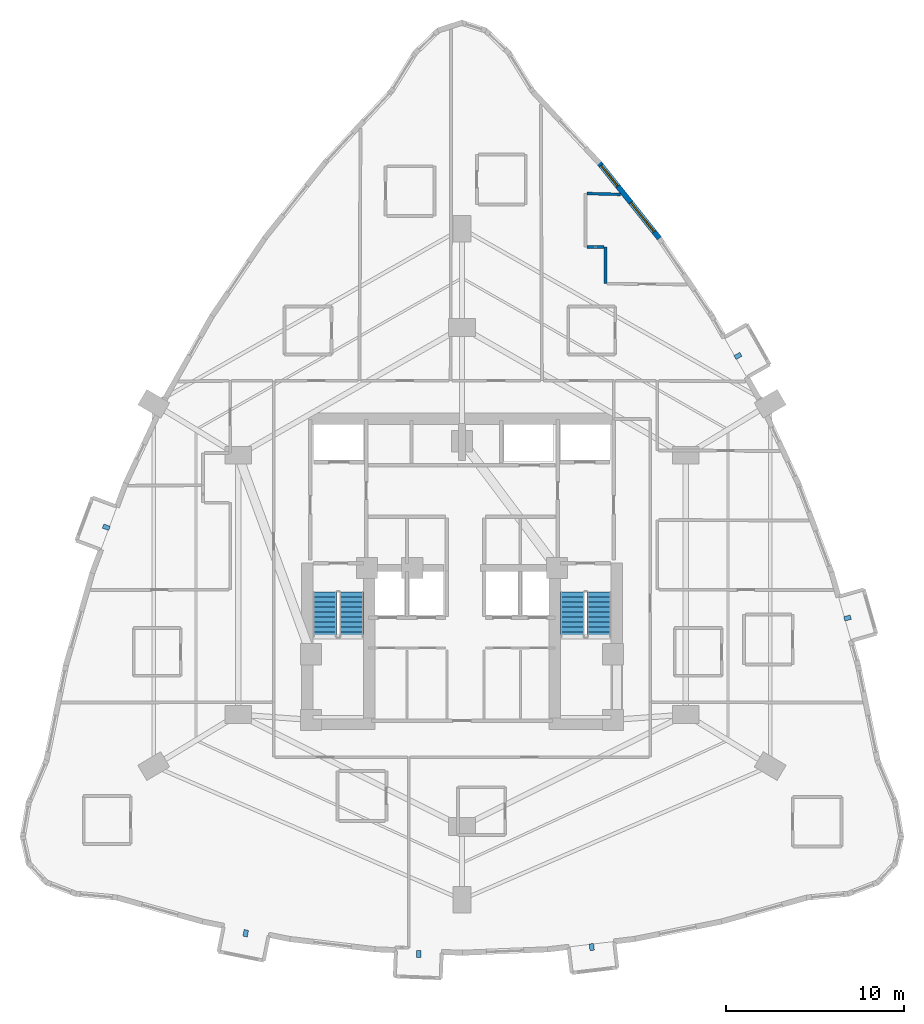
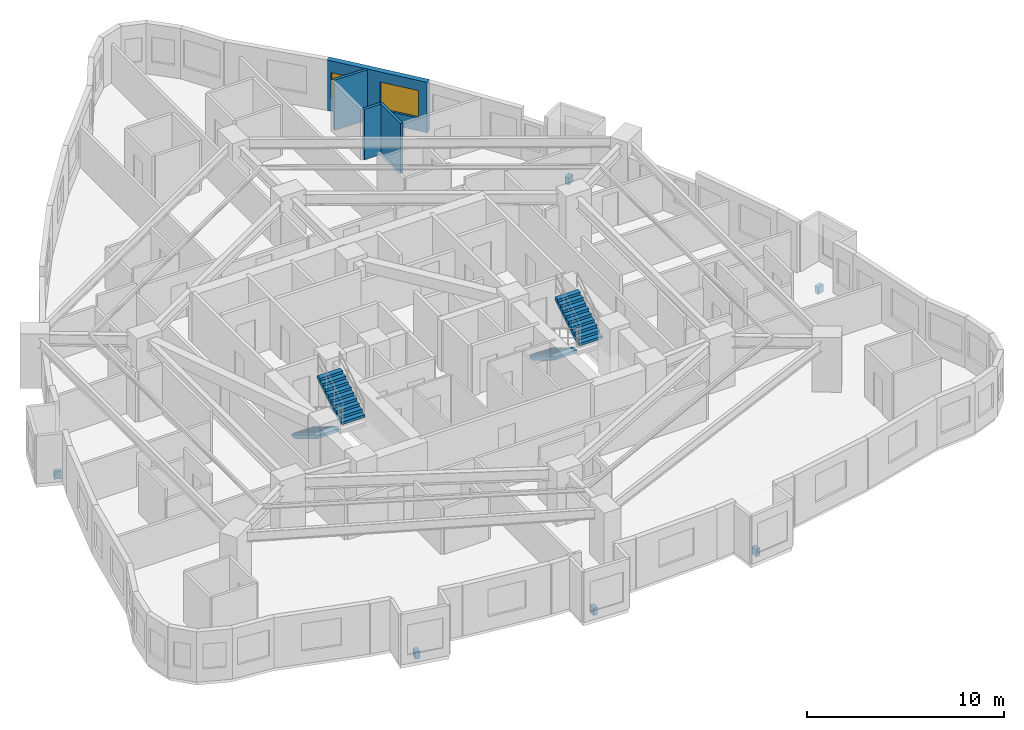
# One storey, part 12 of 13: 6 discrete accessories, 4 stair flights, 4 walls, 2 windows, 2 openings, 2 elements without a shape of their own.
"""IFC4 building model written with IfcOpenShell, lengths in metres."""

from ifc_helpers import new_model, si_unit, direction, frame, frame_2d, origin, origin_2d, place, context, subcontext, project, spatial, polyline, rectangle, outline, extrude, material, layer, layer_set, type_object, element, fill, aggregate, save


model = new_model("IFC4")

# Units and contexts
model_context = context("Model", 3, precision=1e-05, world=origin(), true_north=direction((0.0, 1.0)))
body_context = subcontext(model_context, "Body", "Model", "MODEL_VIEW")
ifc_project = project(units=[si_unit("LENGTHUNIT", "METRE"), si_unit("AREAUNIT", "SQUARE_METRE"), si_unit("VOLUMEUNIT", "CUBIC_METRE"), si_unit("PLANEANGLEUNIT", "RADIAN"), si_unit("MASSUNIT", "GRAM", prefix="KILO")], contexts=[model_context])

# Site, building, storey
site_placement = place(None, origin())
site = spatial("IfcSite", under=ifc_project, at=site_placement, CompositionType="ELEMENT")
building_placement = place(site_placement, origin())
building = spatial("IfcBuilding", under=site, at=building_placement, Name="Miruveldt Soraemaru", CompositionType="ELEMENT")
storey_placement = place(building_placement, frame((0.0, 0.0, 49.60009765625)))
storey = spatial("IfcBuildingStorey", under=building, at=storey_placement, Name="L13", CompositionType="ELEMENT", Elevation=49.60009765625)

# Wall, openings, windows
ifc_material_1 = material(Name="Precast concrete C45/55 (45 MPa)", Category="concrete")
ifc_layer_1 = layer(ifc_material_1, 0.300048828125, Name="Precast concrete C45/55 (45 MPa)", Category="concrete")
ifc_layer_set_1 = layer_set([ifc_layer_1], Name="Precast concrete C45/55 (45 MPa)")
wall_type_1 = type_object("IfcWallType", Name="WALL-EXT-PC300", PredefinedType="SOLIDWALL", material=ifc_layer_set_1)
wall_1_placement = place(storey_placement, frame((55.1162109375, 62.617919921875, 0.0), z_axis=(0.0, 0.0, 1.0), x_axis=(-0.623574647448, 0.781763812836, 0.0)))
wall_1 = element("IfcWall", 1, at=wall_1_placement, inside=storey, type_object=wall_type_1, Name="L13 Precast Concrete Facade Wall 41", PredefinedType="SOLIDWALL", context=body_context, shape_type="SweptSolid", body=[
    extrude(rectangle(XDim=5.477294921875, YDim=0.300048828125, at=frame_2d((2.73876953125, 0.0))), origin(), (0.0, 0.0, 1.0), 3.125),
])
opening_1_placement = place(wall_1_placement, frame((0.47802734375, 0.0, 0.800048828125)))
opening_1 = element("IfcOpeningElement", 2, at=opening_1_placement, cuts=wall_1, Name="Opening WN-1", PredefinedType="OPENING", context=body_context, shape_type="SweptSolid", body=[
    extrude(rectangle(XDim=2.10009765625, YDim=1.699951171875, at=frame_2d((1.050048828125, 0.85009765625))), frame((0.0, 0.16015625, 0.0), z_axis=(0.0, -1.0, 0.0), x_axis=(1.0, 0.0, 0.0)), (0.0, 0.0, 1.0), 0.320068359375),
])
opening_2_placement = place(wall_1_placement, frame((3.756103515625, 0.0, 0.800048828125)))
opening_2 = element("IfcOpeningElement", 3, at=opening_2_placement, cuts=wall_1, Name="Opening WN-3", PredefinedType="OPENING", context=body_context, shape_type="SweptSolid", body=[
    extrude(rectangle(XDim=1.5, YDim=1.60009765625, at=frame_2d((0.75, 0.800048828125))), frame((0.0, 0.16015625, 0.0), z_axis=(0.0, -1.0, 0.0), x_axis=(1.0, 0.0, 0.0)), (0.0, 0.0, 1.0), 0.320068359375),
])
ifc_material_2 = material(Name="Triple low-e insulated glazing", Category="glass")
window_type_1 = type_object("IfcWindowType", Name="WIN-PUNCH-1500x1600", PartitioningType="SINGLE_PANEL", PredefinedType="WINDOW", material=ifc_material_2)
window_1_placement = place(opening_2_placement, origin())
window_1 = element("IfcWindow", 4, at=window_1_placement, inside=storey, type_object=window_type_1, Name="L13 Punched Triple-Glazed Window 41.2", OverallHeight=1.60009765625, OverallWidth=1.5, PartitioningType="SINGLE_PANEL", PredefinedType="WINDOW", context=body_context, shape_type="SweptSolid", body=[
    extrude(rectangle(XDim=1.5, YDim=1.60009765625, at=frame_2d((0.75, 0.800048828125))), frame((0.0, 0.030029296875, 0.0), z_axis=(0.0, -1.0, 0.0), x_axis=(1.0, 0.0, 0.0)), (0.0, 0.0, 1.0), 0.06005859375),
])
fill(opening_2, window_1)
window_type_2 = type_object("IfcWindowType", Name="WIN-PUNCH-2100x1700", PartitioningType="SINGLE_PANEL", PredefinedType="WINDOW", material=ifc_material_2)
window_2_placement = place(opening_1_placement, origin())
window_2 = element("IfcWindow", 5, at=window_2_placement, inside=storey, type_object=window_type_2, Name="L13 Punched Triple-Glazed Window 41.1", OverallHeight=1.699951171875, OverallWidth=2.10009765625, PartitioningType="SINGLE_PANEL", PredefinedType="WINDOW", context=body_context, shape_type="SweptSolid", body=[
    extrude(rectangle(XDim=2.10009765625, YDim=1.699951171875, at=frame_2d((1.050048828125, 0.85009765625))), frame((0.0, 0.030029296875, 0.0), z_axis=(0.0, -1.0, 0.0), x_axis=(1.0, 0.0, 0.0)), (0.0, 0.0, 1.0), 0.06005859375),
])
fill(opening_1, window_2)

# Walls
ifc_material_3 = material(Name="Concrete C40/50 (40 MPa)", Category="concrete")
ifc_layer_2 = layer(ifc_material_3, 0.159912109375, Name="Concrete C40/50 (40 MPa)", Category="concrete")
ifc_layer_set_2 = layer_set([ifc_layer_2], Name="Concrete C40/50 (40 MPa)")
wall_type_2 = type_object("IfcWallType", Name="WALL-INT-RC160", PredefinedType="SOLIDWALL", material=ifc_layer_set_2)
wall_2_placement = place(storey_placement, frame((52.080078125, 60.06689453125, 0.0), z_axis=(0.0, 0.0, 1.0), x_axis=(0.0, 1.0, 0.0)))
element("IfcWall", 6, at=wall_2_placement, inside=storey, type_object=wall_type_2, Name="L13 Partition Wall 35", PredefinedType="SOLIDWALL", context=body_context, shape_type="SweptSolid", body=[
    extrude(rectangle(XDim=2.06298828125, YDim=0.159912109375, at=frame_2d((1.031494140625, 0.0))), origin(), (0.0, 0.0, 1.0), 3.125),
])
wall_3_placement = place(storey_placement, frame((51.030029296875, 65.14208984375, 0.0), z_axis=(0.0, 0.0, 1.0), x_axis=(0.999640750429, -0.026802426791, 0.0)))
element("IfcWall", 7, at=wall_3_placement, inside=storey, type_object=wall_type_2, Name="L13 Partition Wall 38", PredefinedType="SOLIDWALL", context=body_context, shape_type="SweptSolid", body=[
    extrude(rectangle(XDim=1.90380859375, YDim=0.159912109375, at=frame_2d((0.951904296875, 0.0))), origin(), (0.0, 0.0, 1.0), 3.125),
])
wall_4_placement = place(storey_placement, frame((52.0, 62.1298828125, 0.0), z_axis=(0.0, 0.0, 1.0), x_axis=(-1.0, 0.0, 0.0)))
element("IfcWall", 8, at=wall_4_placement, inside=storey, type_object=wall_type_2, Name="L13 Partition Wall 36", PredefinedType="SOLIDWALL", context=body_context, shape_type="SweptSolid", body=[
    extrude(rectangle(XDim=0.969970703125, YDim=0.159912109375, at=frame_2d((0.48486328125, 0.0))), origin(), (0.0, 0.0, 1.0), 3.125),
])

# Stair, stair flights
stair_type = type_object("IfcStairType", Name="STAIR-DL-340", PredefinedType="HALF_TURN_STAIR", material=ifc_material_3)
stair_1_placement = place(storey_placement, origin())
stair_1 = element("IfcStair", 9, at=stair_1_placement, inside=storey, type_object=stair_type, Name="L13 Protected Exit Stair ST-1", PredefinedType="HALF_TURN_STAIR")
stair_flight_type = type_object("IfcStairFlightType", Name="SFL-DL-340", PredefinedType="STRAIGHT", material=ifc_material_3)
stair_flight_1_placement = place(storey_placement, frame((36.27490234375, 42.699951171875, 0.0), z_axis=(0.0, 0.0, 1.0), x_axis=(0.0, -1.0, 0.0)))
stair_flight_1 = element("IfcStairFlight", 10, at=stair_flight_1_placement, type_object=stair_flight_type, Name="ST-1 flight 1", NumberOfRisers=10, NumberOfTreads=9, PredefinedType="STRAIGHT", RiserHeight=0.17, TreadLength=0.28, context=body_context, shape_type="SweptSolid", body=[
    extrude(outline(polyline([(0.0, 0.0), (0.0, 0.169921875), (0.280029296875, 0.169921875), (0.280029296875, 0.340087890625), (0.56005859375, 0.340087890625), (0.56005859375, 0.510009765625), (0.840087890625, 0.510009765625), (0.840087890625, 0.679931640625), (1.1201171875, 0.679931640625), (1.1201171875, 0.85009765625), (1.39990234375, 0.85009765625), (1.39990234375, 1.02001953125), (1.679931640625, 1.02001953125), (1.679931640625, 1.18994140625), (1.9599609375, 1.18994140625), (1.9599609375, 1.360107421875), (2.239990234375, 1.360107421875), (2.239990234375, 1.530029296875), (2.52001953125, 1.530029296875), (2.52001953125, 1.699951171875), (2.52001953125, 1.343017578125), (0.30810546875, 0.0), (0.0, 0.0)])), frame((0.0, 0.675048828125, 0.0), z_axis=(0.0, -1.0, 0.0), x_axis=(1.0, 0.0, 0.0)), (0.0, 0.0, 1.0), 1.35009765625),
])
stair_flight_2_placement = place(storey_placement, frame((37.77490234375, 40.179931640625, 1.699951171875), z_axis=(0.0, 0.0, 1.0), x_axis=(0.0, 1.0, 0.0)))
stair_flight_2 = element("IfcStairFlight", 11, at=stair_flight_2_placement, type_object=stair_flight_type, Name="ST-1 flight 2", NumberOfRisers=10, NumberOfTreads=9, PredefinedType="STRAIGHT", RiserHeight=0.17, TreadLength=0.28, context=body_context, shape_type="SweptSolid", body=[
    extrude(outline(polyline([(0.0, 0.0), (0.0, 0.169921875), (0.280029296875, 0.169921875), (0.280029296875, 0.340087890625), (0.56005859375, 0.340087890625), (0.56005859375, 0.510009765625), (0.840087890625, 0.510009765625), (0.840087890625, 0.679931640625), (1.1201171875, 0.679931640625), (1.1201171875, 0.85009765625), (1.39990234375, 0.85009765625), (1.39990234375, 1.02001953125), (1.679931640625, 1.02001953125), (1.679931640625, 1.18994140625), (1.9599609375, 1.18994140625), (1.9599609375, 1.360107421875), (2.239990234375, 1.360107421875), (2.239990234375, 1.530029296875), (2.52001953125, 1.530029296875), (2.52001953125, 1.699951171875), (2.52001953125, 1.343017578125), (0.30810546875, 0.0), (0.0, 0.0)])), frame((0.0, 0.675048828125, 0.0), z_axis=(0.0, -1.0, 0.0), x_axis=(1.0, 0.0, 0.0)), (0.0, 0.0, 1.0), 1.35009765625),
])
aggregate(stair_1, [stair_flight_1, stair_flight_2])

stair_2_placement = place(storey_placement, origin())
stair_2 = element("IfcStair", 12, at=stair_2_placement, inside=storey, type_object=stair_type, Name="L13 Protected Exit Stair ST-2", PredefinedType="HALF_TURN_STAIR")
stair_flight_3_placement = place(storey_placement, frame((50.22509765625, 42.699951171875, 0.0), z_axis=(0.0, 0.0, 1.0), x_axis=(0.0, -1.0, 0.0)))
stair_flight_3 = element("IfcStairFlight", 13, at=stair_flight_3_placement, type_object=stair_flight_type, Name="ST-2 flight 1", NumberOfRisers=10, NumberOfTreads=9, PredefinedType="STRAIGHT", RiserHeight=0.17, TreadLength=0.28, context=body_context, shape_type="SweptSolid", body=[
    extrude(outline(polyline([(0.0, 0.0), (0.0, 0.169921875), (0.280029296875, 0.169921875), (0.280029296875, 0.340087890625), (0.56005859375, 0.340087890625), (0.56005859375, 0.510009765625), (0.840087890625, 0.510009765625), (0.840087890625, 0.679931640625), (1.1201171875, 0.679931640625), (1.1201171875, 0.85009765625), (1.39990234375, 0.85009765625), (1.39990234375, 1.02001953125), (1.679931640625, 1.02001953125), (1.679931640625, 1.18994140625), (1.9599609375, 1.18994140625), (1.9599609375, 1.360107421875), (2.239990234375, 1.360107421875), (2.239990234375, 1.530029296875), (2.52001953125, 1.530029296875), (2.52001953125, 1.699951171875), (2.52001953125, 1.343017578125), (0.30810546875, 0.0), (0.0, 0.0)])), frame((0.0, 0.675048828125, 0.0), z_axis=(0.0, -1.0, 0.0), x_axis=(1.0, 0.0, 0.0)), (0.0, 0.0, 1.0), 1.35009765625),
])
stair_flight_4_placement = place(storey_placement, frame((51.72509765625, 40.179931640625, 1.699951171875), z_axis=(0.0, 0.0, 1.0), x_axis=(0.0, 1.0, 0.0)))
stair_flight_4 = element("IfcStairFlight", 14, at=stair_flight_4_placement, type_object=stair_flight_type, Name="ST-2 flight 2", NumberOfRisers=10, NumberOfTreads=9, PredefinedType="STRAIGHT", RiserHeight=0.17, TreadLength=0.28, context=body_context, shape_type="SweptSolid", body=[
    extrude(outline(polyline([(0.0, 0.0), (0.0, 0.169921875), (0.280029296875, 0.169921875), (0.280029296875, 0.340087890625), (0.56005859375, 0.340087890625), (0.56005859375, 0.510009765625), (0.840087890625, 0.510009765625), (0.840087890625, 0.679931640625), (1.1201171875, 0.679931640625), (1.1201171875, 0.85009765625), (1.39990234375, 0.85009765625), (1.39990234375, 1.02001953125), (1.679931640625, 1.02001953125), (1.679931640625, 1.18994140625), (1.9599609375, 1.18994140625), (1.9599609375, 1.360107421875), (2.239990234375, 1.360107421875), (2.239990234375, 1.530029296875), (2.52001953125, 1.530029296875), (2.52001953125, 1.699951171875), (2.52001953125, 1.343017578125), (0.30810546875, 0.0), (0.0, 0.0)])), frame((0.0, 0.675048828125, 0.0), z_axis=(0.0, -1.0, 0.0), x_axis=(1.0, 0.0, 0.0)), (0.0, 0.0, 1.0), 1.35009765625),
])
aggregate(stair_2, [stair_flight_3, stair_flight_4])

# Discrete accessories
ifc_material_4 = material(Name="Steel SM355 (355 MPa)", Category="steel")
discrete_accessory_type = type_object("IfcDiscreteAccessoryType", Name="ACC-BAY-BRK", PredefinedType="BRACKET", material=ifc_material_4)
for number, where, z_axis, x_axis, name in (
    (15, (23.969482421875, 46.3515625, -0.72021484375), (0.0, 0.0, 1.0), (-0.937105441274, 0.349046403698, 0.0), "L13 Bay Window Cantilever Bracket 1"),
    (16, (31.821044921875, 23.490234375, -0.72021484375), (0.0, 0.0, 1.0), (-0.196117290802, -0.980580444557, 0.0), "L13 Bay Window Cantilever Bracket 2"),
    (17, (41.564208984375, 22.321044921875, -0.72021484375), (0.0, 0.0, 1.0), (-0.03997483895, -0.999200686675, 0.0), "L13 Bay Window Cantilever Bracket 3"),
    (18, (51.3076171875, 22.710693359375, -0.72021484375), (0.0, 0.0, 1.0), (0.119149147143, -0.992876367296, 0.0), "L13 Bay Window Cantilever Bracket 4"),
    (19, (65.7099609375, 41.23779296875, -0.72021484375), (0.0, 0.0, 1.0), (0.961453892845, 0.274966201438, 0.0), "L13 Bay Window Cantilever Bracket 5"),
    (20, (59.537841796875, 55.9951171875, -0.72021484375), (0.0, 0.0, 1.0), (0.869830943614, 0.493349905778, 0.0), "L13 Bay Window Cantilever Bracket 6"),
):
    element("IfcDiscreteAccessory", number, at=place(storey_placement, frame(where, z_axis=z_axis, x_axis=x_axis)), inside=storey, type_object=discrete_accessory_type, Name=name, PredefinedType="BRACKET", context=body_context, shape_type="SweptSolid", body=[
        extrude(rectangle(XDim=0.3798828125, YDim=0.25, at=origin_2d()), origin(), (0.0, 0.0, 1.0), 0.449951171875),
    ])

save(model, "model.ifc")
